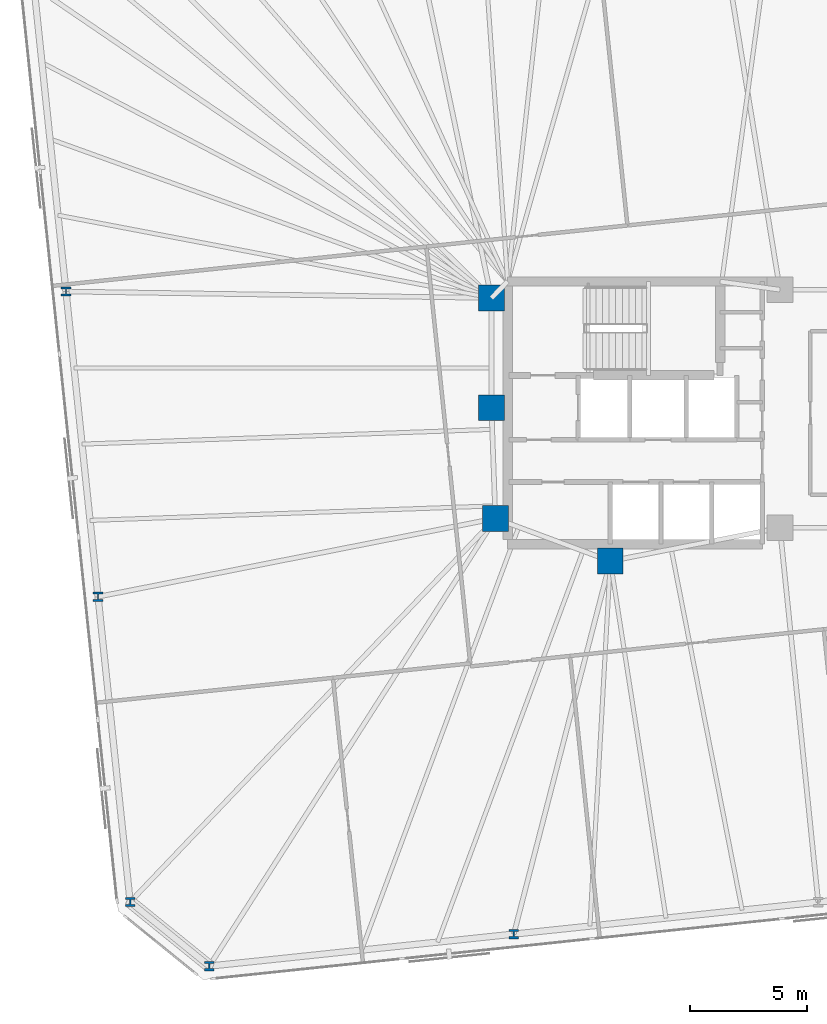
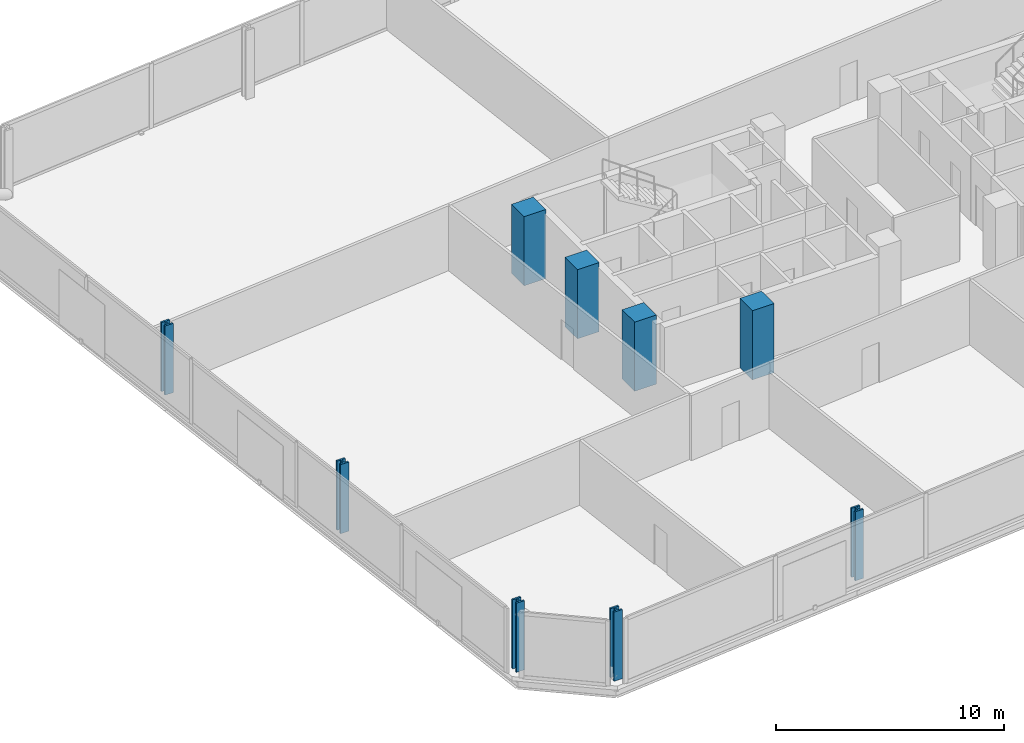
# One storey, part 1 of 18: 9 columns.
"""IFC4 building model written with IfcOpenShell, lengths in metres."""

from ifc_helpers import new_model, si_unit, direction, frame, origin, origin_2d, place, context, subcontext, project, spatial, rectangle, i_section, extrude, material, material_profile, profile_set, type_object, element, save


model = new_model("IFC4")

# Units and contexts
model_context = context("Model", 3, precision=1e-05, world=origin(), true_north=direction((0.0, 1.0)))
body_context = subcontext(model_context, "Body", "Model", "MODEL_VIEW")
ifc_project = project(units=[si_unit("LENGTHUNIT", "METRE"), si_unit("AREAUNIT", "SQUARE_METRE"), si_unit("VOLUMEUNIT", "CUBIC_METRE"), si_unit("PLANEANGLEUNIT", "RADIAN"), si_unit("MASSUNIT", "GRAM", prefix="KILO")], contexts=[model_context])

# Site, building, storey
site_placement = place(None, origin())
site = spatial("IfcSite", under=ifc_project, at=site_placement, CompositionType="ELEMENT")
building_placement = place(site_placement, origin())
building = spatial("IfcBuilding", under=site, at=building_placement, Name="Menara Jurai Vektor", CompositionType="ELEMENT")
storey_placement = place(building_placement, frame((0.0, 0.0, 102.199951171875)))
storey = spatial("IfcBuildingStorey", under=building, at=storey_placement, Name="L25", CompositionType="ELEMENT", Elevation=102.199951171875)

# Columns
ifc_material_1 = material(Name="Concrete C50/60", Category="concrete")
ifc_material_profile_1 = material_profile(ifc_material_1, rectangle(XDim=1.10009765625, YDim=1.10009765625, at=origin_2d()), Name="RC 1100x1100")
ifc_profile_set_1 = profile_set([ifc_material_profile_1], Name="Concrete C50/60")
column_type_1 = type_object("IfcColumnType", Name="STR-COL-RC1100", PredefinedType="COLUMN", material=ifc_profile_set_1)
for number, where, z_axis, x_axis, name in (
    (1, (-15.25, 4.89990234375, 0.0), (0.0, 0.0, 1.0), (1.0, 0.0, 0.0), "Core Spine Column CW-NW L25"),
    (2, (-15.25, 0.219970703125, 0.0), (0.0, 0.0, 1.0), (1.0, 0.0, 0.0), "Core Spine Column CW-WM L25"),
    (3, (-15.080078125, -4.5, 0.0), (0.0, 0.0, 1.0), (1.0, 0.0, 0.0), "Core Spine Column CW-SW L25"),
    (4, (-10.179931640625, -6.320068359375, 0.0), (0.0, 0.0, 1.0), (1.0, 0.0, 0.0), "Core Spine Column CW-SM L25"),
):
    element("IfcColumn", number, at=place(storey_placement, frame(where, z_axis=z_axis, x_axis=x_axis)), inside=storey, type_object=column_type_1, Name=name, PredefinedType="COLUMN", context=body_context, shape_type="SweptSolid", body=[
        extrude(rectangle(XDim=1.10009765625, YDim=1.10009765625, at=origin_2d()), origin(), (0.0, 0.0, 1.0), 3.699951171875),
    ])
ifc_material_2 = material(Name="Steel S460", Category="steel")
ifc_material_profile_2 = material_profile(ifc_material_2, i_section(OverallWidth=0.4130859375, OverallDepth=0.39794921875, WebThickness=0.055908203125, FlangeThickness=0.089111328125, FilletRadius=0.014892578125, at=origin_2d()), Name="HD 400x744")
ifc_profile_set_2 = profile_set([ifc_material_profile_2], Name="Steel S460")
column_type_2 = type_object("IfcColumnType", Name="STR-EXO-BLK2", PredefinedType="COLUMN", material=ifc_profile_set_2)
for number, where, z_axis, x_axis, name in (
    (5, (-27.2763671875, -23.586181640625, 0.0), (0.0, 0.0, 1.0), (1.0, 0.0, 0.0), "Exoskeleton Column BLK2-S1 L25"),
    (6, (-14.296630859375, -22.221923828125, 0.0), (0.0, 0.0, 1.0), (1.0, 0.0, 0.0), "Exoskeleton Column BLK2-S2 L25"),
    (7, (-33.388427734375, 5.175048828125, 0.0), (0.0, 0.0, 1.0), (1.0, 0.0, 0.0), "Exoskeleton Column BLK2-W2 L25"),
    (8, (-32.0205078125, -7.83837890625, 0.0), (0.0, 0.0, 1.0), (1.0, 0.0, 0.0), "Exoskeleton Column BLK2-W3 L25"),
    (9, (-30.65283203125, -20.85205078125, 0.0), (0.0, 0.0, 1.0), (1.0, 0.0, 0.0), "Exoskeleton Column BLK2-W4 L25"),
):
    element("IfcColumn", number, at=place(storey_placement, frame(where, z_axis=z_axis, x_axis=x_axis)), inside=storey, type_object=column_type_2, Name=name, PredefinedType="COLUMN", context=body_context, shape_type="SweptSolid", body=[
        extrude(i_section(OverallWidth=0.4130859375, OverallDepth=0.39794921875, WebThickness=0.055908203125, FlangeThickness=0.089111328125, FilletRadius=0.014892578125, at=origin_2d()), origin(), (0.0, 0.0, 1.0), 3.699951171875),
    ])

save(model, "model.ifc")
